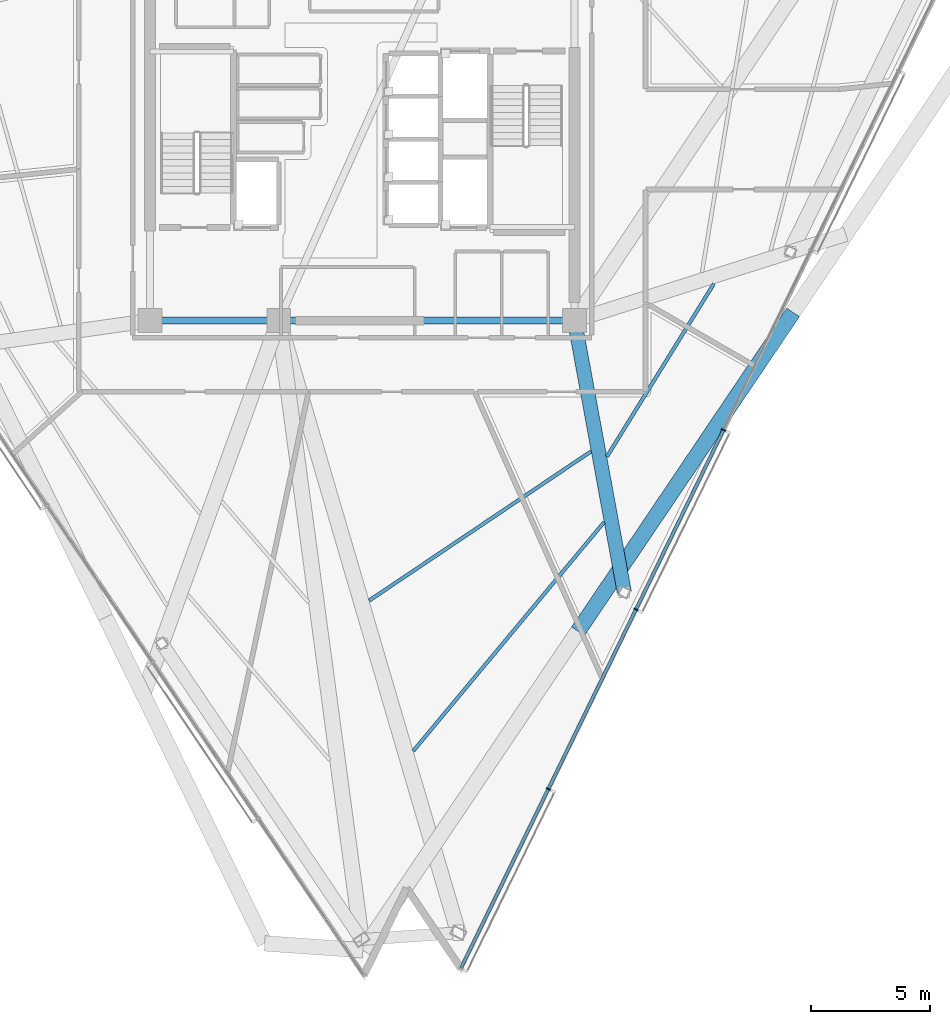
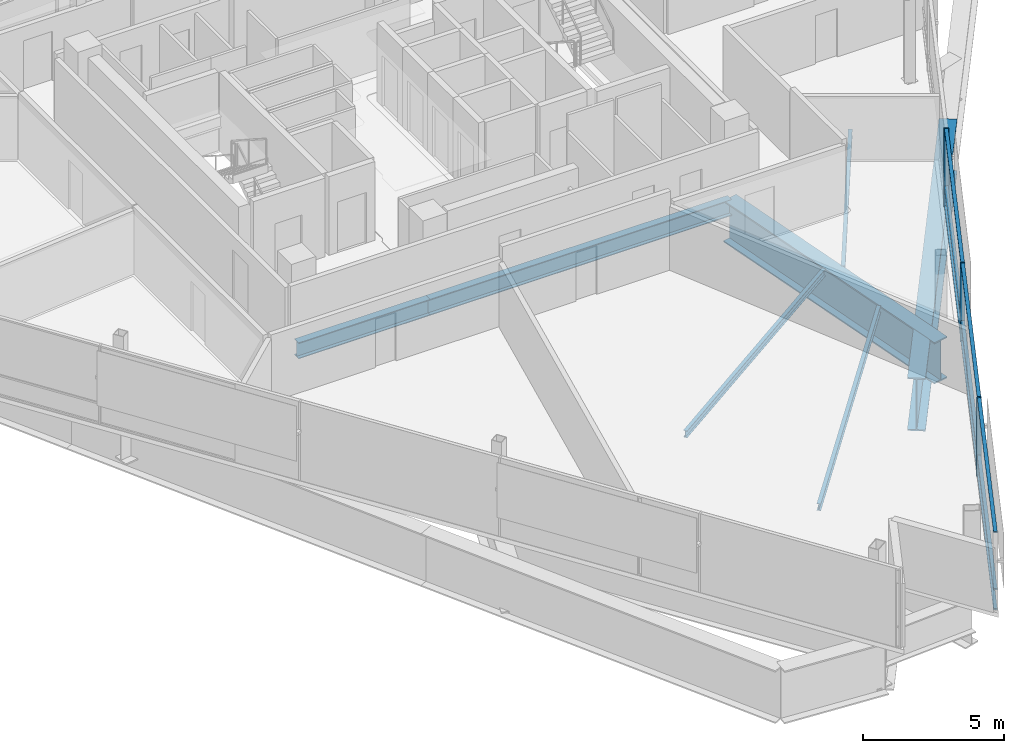
# One storey, part 4 of 17: 12 members, 7 beams, 1 element without a shape of its own.
"""IFC4 building model written with IfcOpenShell, lengths in metres."""

from ifc_helpers import new_model, si_unit, direction, frame, origin, origin_2d, place, context, subcontext, project, spatial, rectangle, i_section, extrude, material, layer, layer_set, material_profile, profile_set, type_object, element, aggregate, save


model = new_model("IFC4")

# Units and contexts
model_context = context("Model", 3, precision=1e-05, world=origin(), true_north=direction((0.0, 1.0)))
body_context = subcontext(model_context, "Body", "Model", "MODEL_VIEW")
ifc_project = project(units=[si_unit("LENGTHUNIT", "METRE"), si_unit("AREAUNIT", "SQUARE_METRE"), si_unit("VOLUMEUNIT", "CUBIC_METRE"), si_unit("PLANEANGLEUNIT", "RADIAN"), si_unit("MASSUNIT", "GRAM", prefix="KILO")], contexts=[model_context])

# Site, building, storey
site_placement = place(None, origin())
site = spatial("IfcSite", under=ifc_project, at=site_placement, CompositionType="ELEMENT")
building_placement = place(site_placement, origin())
building = spatial("IfcBuilding", under=site, at=building_placement, Name="Tharavind Bronze Gate", CompositionType="ELEMENT")
storey_placement = place(building_placement, frame((0.0, 0.0, 253.39990234375)))
storey = spatial("IfcBuildingStorey", under=building, at=storey_placement, Name="L65", CompositionType="ELEMENT", Elevation=253.39990234375)

# Curtain wall, members
ifc_material_1 = material(Name="Anodised Bronze Aluminium", Category="aluminium")
ifc_layer = layer(ifc_material_1, 0.219970703125)
ifc_layer_set = layer_set([ifc_layer], Name="Anodised Bronze Aluminium")
curtain_wall_type = type_object("IfcCurtainWallType", Name="UNITISED CURTAIN WALL UPPER OFFICE", PredefinedType="USERDEFINED", material=ifc_layer_set)
curtain_wall_placement = place(storey_placement, origin())
curtain_wall = element("IfcCurtainWall", 1, at=curtain_wall_placement, inside=storey, type_object=curtain_wall_type, Name="L65 unitised curtain wall upper office CW-L65-S2", ObjectType="UNITISED CURTAIN WALL", PredefinedType="USERDEFINED")
member_type_1 = type_object("IfcMemberType", Name="CURTAIN WALL BRONZE MULLION 65X180", PredefinedType="MULLION", material=ifc_material_1)
member_1_placement = place(storey_placement, frame((7.80419921875, -27.236572265625, 0.000244140625), z_axis=(0.0, 0.0, 1.0), x_axis=(0.43837271548, 0.898793281196, 0.0)))
member_1 = element("IfcMember", 2, at=member_1_placement, type_object=member_type_1, Name="CW-L65-S2 mullion 2", PredefinedType="MULLION", context=body_context, shape_type="SweptSolid", body=[
    extrude(rectangle(XDim=0.06494140625, YDim=0.179931640625, at=origin_2d()), origin(), (0.0, 0.0, 1.0), 3.419921875),
])
member_2_placement = place(storey_placement, frame((11.474365234375, -19.711669921875, 0.000244140625), z_axis=(0.0, 0.0, 1.0), x_axis=(0.43837271548, 0.898793281196, 0.0)))
member_2 = element("IfcMember", 3, at=member_2_placement, type_object=member_type_1, Name="CW-L65-S2 mullion 3", PredefinedType="MULLION", context=body_context, shape_type="SweptSolid", body=[
    extrude(rectangle(XDim=0.06494140625, YDim=0.179931640625, at=origin_2d()), origin(), (0.0, 0.0, 1.0), 3.419921875),
])
member_3_placement = place(storey_placement, frame((15.144775390625, -12.1865234375, 0.000244140625), z_axis=(0.0, 0.0, 1.0), x_axis=(0.43837271548, 0.898793281196, 0.0)))
member_3 = element("IfcMember", 4, at=member_3_placement, type_object=member_type_1, Name="CW-L65-S2 mullion 4", PredefinedType="MULLION", context=body_context, shape_type="SweptSolid", body=[
    extrude(rectangle(XDim=0.06494140625, YDim=0.179931640625, at=origin_2d()), origin(), (0.0, 0.0, 1.0), 3.419921875),
])
member_type_2 = type_object("IfcMemberType", Name="CURTAIN WALL BRONZE TRANSOM 65X140", PredefinedType="USERDEFINED", material=ifc_material_1)
member_4_placement = place(storey_placement, frame((5.968994140625, -30.9990234375, 0.000244140625), z_axis=(0.0, 0.0, 1.0), x_axis=(0.43837271548, 0.898793281196, 0.0)))
member_4 = element("IfcMember", 5, at=member_4_placement, type_object=member_type_2, Name="CW-L65-S2 transom TB1", ObjectType="TRANSOM", PredefinedType="USERDEFINED", context=body_context, shape_type="SweptSolid", body=[
    extrude(rectangle(XDim=8.3193359375, YDim=0.139892578125, at=origin_2d()), origin(), (0.0, 0.0, 1.0), 0.06494140625),
])
member_5_placement = place(storey_placement, frame((5.968994140625, -30.9990234375, 0.86767578125), z_axis=(0.0, 0.0, 1.0), x_axis=(0.43837271548, 0.898793281196, 0.0)))
member_5 = element("IfcMember", 6, at=member_5_placement, type_object=member_type_2, Name="CW-L65-S2 transom TS1", ObjectType="TRANSOM", PredefinedType="USERDEFINED", context=body_context, shape_type="SweptSolid", body=[
    extrude(rectangle(XDim=8.3193359375, YDim=0.139892578125, at=origin_2d()), origin(), (0.0, 0.0, 1.0), 0.06494140625),
])
member_6_placement = place(storey_placement, frame((5.968994140625, -30.9990234375, 3.355224609375), z_axis=(0.0, 0.0, 1.0), x_axis=(0.43837271548, 0.898793281196, 0.0)))
member_6 = element("IfcMember", 7, at=member_6_placement, type_object=member_type_2, Name="CW-L65-S2 transom TT1", ObjectType="TRANSOM", PredefinedType="USERDEFINED", context=body_context, shape_type="SweptSolid", body=[
    extrude(rectangle(XDim=8.3193359375, YDim=0.139892578125, at=origin_2d()), origin(), (0.0, 0.0, 1.0), 0.06494140625),
])
member_7_placement = place(storey_placement, frame((9.639404296875, -23.47412109375, 0.000244140625), z_axis=(0.0, 0.0, 1.0), x_axis=(0.43837271548, 0.898793281196, 0.0)))
member_7 = element("IfcMember", 8, at=member_7_placement, type_object=member_type_2, Name="CW-L65-S2 transom TB2", ObjectType="TRANSOM", PredefinedType="USERDEFINED", context=body_context, shape_type="SweptSolid", body=[
    extrude(rectangle(XDim=8.3193359375, YDim=0.139892578125, at=origin_2d()), origin(), (0.0, 0.0, 1.0), 0.06494140625),
])
member_8_placement = place(storey_placement, frame((9.639404296875, -23.47412109375, 0.86767578125), z_axis=(0.0, 0.0, 1.0), x_axis=(0.43837271548, 0.898793281196, 0.0)))
member_8 = element("IfcMember", 9, at=member_8_placement, type_object=member_type_2, Name="CW-L65-S2 transom TS2", ObjectType="TRANSOM", PredefinedType="USERDEFINED", context=body_context, shape_type="SweptSolid", body=[
    extrude(rectangle(XDim=8.3193359375, YDim=0.139892578125, at=origin_2d()), origin(), (0.0, 0.0, 1.0), 0.06494140625),
])
member_9_placement = place(storey_placement, frame((9.639404296875, -23.47412109375, 3.355224609375), z_axis=(0.0, 0.0, 1.0), x_axis=(0.43837271548, 0.898793281196, 0.0)))
member_9 = element("IfcMember", 10, at=member_9_placement, type_object=member_type_2, Name="CW-L65-S2 transom TT2", ObjectType="TRANSOM", PredefinedType="USERDEFINED", context=body_context, shape_type="SweptSolid", body=[
    extrude(rectangle(XDim=8.3193359375, YDim=0.139892578125, at=origin_2d()), origin(), (0.0, 0.0, 1.0), 0.06494140625),
])
member_10_placement = place(storey_placement, frame((13.3095703125, -15.94921875, 0.000244140625), z_axis=(0.0, 0.0, 1.0), x_axis=(0.43837271548, 0.898793281196, 0.0)))
member_10 = element("IfcMember", 11, at=member_10_placement, type_object=member_type_2, Name="CW-L65-S2 transom TB3", ObjectType="TRANSOM", PredefinedType="USERDEFINED", context=body_context, shape_type="SweptSolid", body=[
    extrude(rectangle(XDim=8.3193359375, YDim=0.139892578125, at=origin_2d()), origin(), (0.0, 0.0, 1.0), 0.06494140625),
])
member_11_placement = place(storey_placement, frame((13.3095703125, -15.94921875, 0.86767578125), z_axis=(0.0, 0.0, 1.0), x_axis=(0.43837271548, 0.898793281196, 0.0)))
member_11 = element("IfcMember", 12, at=member_11_placement, type_object=member_type_2, Name="CW-L65-S2 transom TS3", ObjectType="TRANSOM", PredefinedType="USERDEFINED", context=body_context, shape_type="SweptSolid", body=[
    extrude(rectangle(XDim=8.3193359375, YDim=0.139892578125, at=origin_2d()), origin(), (0.0, 0.0, 1.0), 0.06494140625),
])
member_12_placement = place(storey_placement, frame((13.3095703125, -15.94921875, 3.355224609375), z_axis=(0.0, 0.0, 1.0), x_axis=(0.43837271548, 0.898793281196, 0.0)))
member_12 = element("IfcMember", 13, at=member_12_placement, type_object=member_type_2, Name="CW-L65-S2 transom TT3", ObjectType="TRANSOM", PredefinedType="USERDEFINED", context=body_context, shape_type="SweptSolid", body=[
    extrude(rectangle(XDim=8.3193359375, YDim=0.139892578125, at=origin_2d()), origin(), (0.0, 0.0, 1.0), 0.06494140625),
])
aggregate(curtain_wall, [member_1, member_2, member_3, member_4, member_5, member_6, member_7, member_8, member_9, member_10, member_11, member_12])

# Beams
ifc_material_2 = material(Name="Steel S355", Category="steel")
ifc_material_profile_1 = material_profile(ifc_material_2, i_section(OverallWidth=0.300048828125, OverallDepth=0.699951171875, WebThickness=0.01708984375, FlangeThickness=0.031982421875, at=origin_2d()), Name="HE700B")
ifc_profile_set_1 = profile_set([ifc_material_profile_1], Name="Steel S355")
beam_type_1 = type_object("IfcBeamType", Name="RING GIRDER HE700B", PredefinedType="USERDEFINED", material=ifc_profile_set_1)
beam_1_placement = place(storey_placement, frame((-8.89990234375, -7.60009765625, -0.539794921875), z_axis=(1.0, 0.0, 0.0), x_axis=(0.0, 1.0, 0.0)))
element("IfcBeam", 14, at=beam_1_placement, inside=storey, type_object=beam_type_1, Name="L65 ring girder he700b BM-L65-CR1", ObjectType="GIRDER", PredefinedType="USERDEFINED", context=body_context, shape_type="SweptSolid", body=[
    extrude(i_section(OverallWidth=0.300048828125, OverallDepth=0.699951171875, WebThickness=0.01708984375, FlangeThickness=0.031982421875, at=origin_2d()), origin(), (0.0, 0.0, 1.0), 5.39990234375),
])
beam_2_placement = place(storey_placement, frame((-3.5, -7.60009765625, -0.539794921875), z_axis=(1.0, 0.0, 0.0), x_axis=(0.0, 1.0, 0.0)))
element("IfcBeam", 15, at=beam_2_placement, inside=storey, type_object=beam_type_1, Name="L65 ring girder he700b BM-L65-CR2", ObjectType="GIRDER", PredefinedType="USERDEFINED", context=body_context, shape_type="SweptSolid", body=[
    extrude(i_section(OverallWidth=0.300048828125, OverallDepth=0.699951171875, WebThickness=0.01708984375, FlangeThickness=0.031982421875, at=origin_2d()), origin(), (0.0, 0.0, 1.0), 12.39990234375),
])
ifc_material_profile_2 = material_profile(ifc_material_2, i_section(OverallWidth=0.14990234375, OverallDepth=0.300048828125, WebThickness=0.007080078125, FlangeThickness=0.0107421875, at=origin_2d()), Name="IPE300")
ifc_profile_set_2 = profile_set([ifc_material_profile_2], Name="Steel S355")
beam_type_2 = type_object("IfcBeamType", Name="SECONDARY FLOOR JOIST IPE300", PredefinedType="JOIST", material=ifc_profile_set_2)
beam_3_placement = place(storey_placement, frame((0.287353515625, -19.341796875, -0.33984375), z_axis=(0.829884439957, 0.557935315532, 0.0), x_axis=(-0.557935315532, 0.829884439957, 0.0)))
element("IfcBeam", 16, at=beam_3_placement, inside=storey, type_object=beam_type_2, Name="L65 secondary floor joist ipe300 BM-L65-JSTA05", PredefinedType="JOIST", context=body_context, shape_type="SweptSolid", body=[
    extrude(i_section(OverallWidth=0.14990234375, OverallDepth=0.300048828125, WebThickness=0.007080078125, FlangeThickness=0.0107421875, at=origin_2d()), origin(), (0.0, 0.0, 1.0), 11.21826171875),
])
beam_4_placement = place(storey_placement, frame((2.13671875, -25.647216796875, -0.33984375), z_axis=(0.640509059624, 0.767950613346, 0.0), x_axis=(-0.767950613346, 0.640509059624, 0.0)))
element("IfcBeam", 17, at=beam_4_placement, inside=storey, type_object=beam_type_2, Name="L65 secondary floor joist ipe300 BM-L65-JSTB05", PredefinedType="JOIST", context=body_context, shape_type="SweptSolid", body=[
    extrude(i_section(OverallWidth=0.14990234375, OverallDepth=0.300048828125, WebThickness=0.007080078125, FlangeThickness=0.0107421875, at=origin_2d()), origin(), (0.0, 0.0, 1.0), 12.498046875),
])
beam_5_placement = place(storey_placement, frame((10.255615234375, -13.311767578125, -0.33984375), z_axis=(0.525954311879, 0.850512822841, 0.0), x_axis=(-0.850512822841, 0.525954311879, 0.0)))
element("IfcBeam", 18, at=beam_5_placement, inside=storey, type_object=beam_type_2, Name="L65 secondary floor joist ipe300 BM-L65-JSTA06", PredefinedType="JOIST", context=body_context, shape_type="SweptSolid", body=[
    extrude(i_section(OverallWidth=0.14990234375, OverallDepth=0.300048828125, WebThickness=0.007080078125, FlangeThickness=0.0107421875, at=origin_2d()), origin(), (0.0, 0.0, 1.0), 8.525634765625),
])
ifc_material_3 = material(Name="Steel S460", Category="steel")
ifc_material_profile_3 = material_profile(ifc_material_3, i_section(OverallWidth=0.60009765625, OverallDepth=1.800048828125, WebThickness=0.031982421875, FlangeThickness=0.054931640625, at=origin_2d()), Name="PG1800X600")
ifc_profile_set_3 = profile_set([ifc_material_profile_3], Name="Steel S460")
beam_type_3 = type_object("IfcBeamType", Name="TRANSFER GIRDER 1800X600", PredefinedType="USERDEFINED", material=ifc_profile_set_3)
beam_6_placement = place(storey_placement, frame((8.89990234375, -7.60009765625, -1.08984375), z_axis=(0.180454290484, -0.98358337168, 0.0), x_axis=(0.98358337168, 0.180454290484, 0.0)))
element("IfcBeam", 19, at=beam_6_placement, inside=storey, type_object=beam_type_3, Name="L65 transfer girder 1800x600 BM-L65-XFR06", ObjectType="TRANSFER GIRDER", PredefinedType="USERDEFINED", context=body_context, shape_type="SweptSolid", body=[
    extrude(i_section(OverallWidth=0.60009765625, OverallDepth=1.800048828125, WebThickness=0.031982421875, FlangeThickness=0.054931640625, at=origin_2d()), origin(), (0.0, 0.0, 1.0), 11.583740234375),
])
ifc_material_profile_4 = material_profile(ifc_material_3, i_section(OverallWidth=0.64990234375, OverallDepth=2.300048828125, WebThickness=0.035888671875, FlangeThickness=0.05810546875, at=origin_2d()), Name="PG2300X650")
ifc_profile_set_4 = profile_set([ifc_material_profile_4], Name="Steel S460")
beam_type_4 = type_object("IfcBeamType", Name="TRANSFER GIRDER 2300X650", PredefinedType="USERDEFINED", material=ifc_profile_set_4)
beam_7_placement = place(storey_placement, frame((9.045654296875, -20.627685546875, -1.33984375), z_axis=(0.559202164633, 0.829031325747, 0.0), x_axis=(-0.829031325747, 0.559202164633, 0.0)))
element("IfcBeam", 20, at=beam_7_placement, inside=storey, type_object=beam_type_4, Name="L65 transfer girder 2300x650 BM-L65-LRG06", ObjectType="TRANSFER GIRDER", PredefinedType="USERDEFINED", context=body_context, shape_type="SweptSolid", body=[
    extrude(i_section(OverallWidth=0.64990234375, OverallDepth=2.300048828125, WebThickness=0.035888671875, FlangeThickness=0.05810546875, at=origin_2d()), origin(), (0.0, 0.0, 1.0), 16.127197265625),
])

save(model, "model.ifc")
